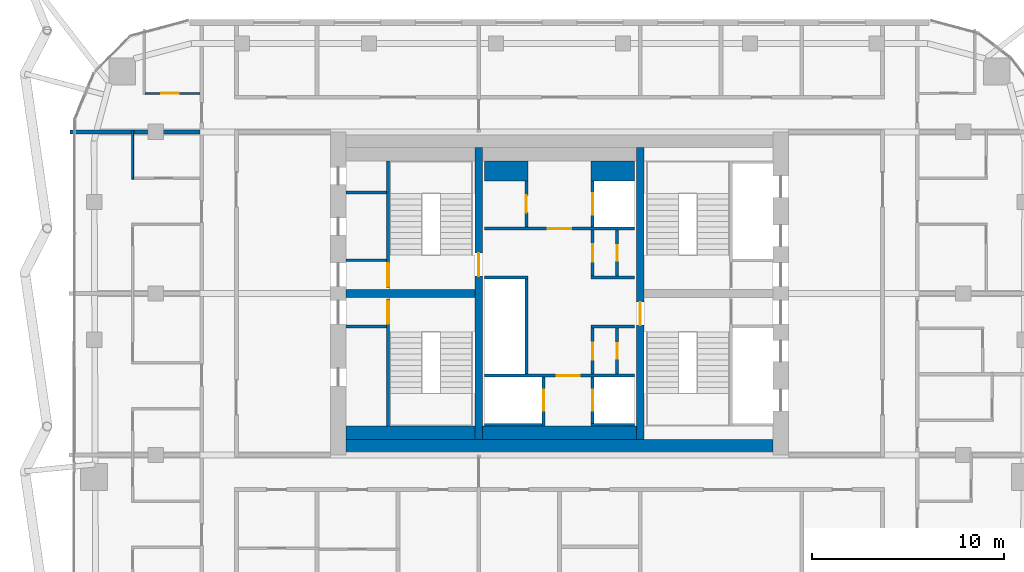
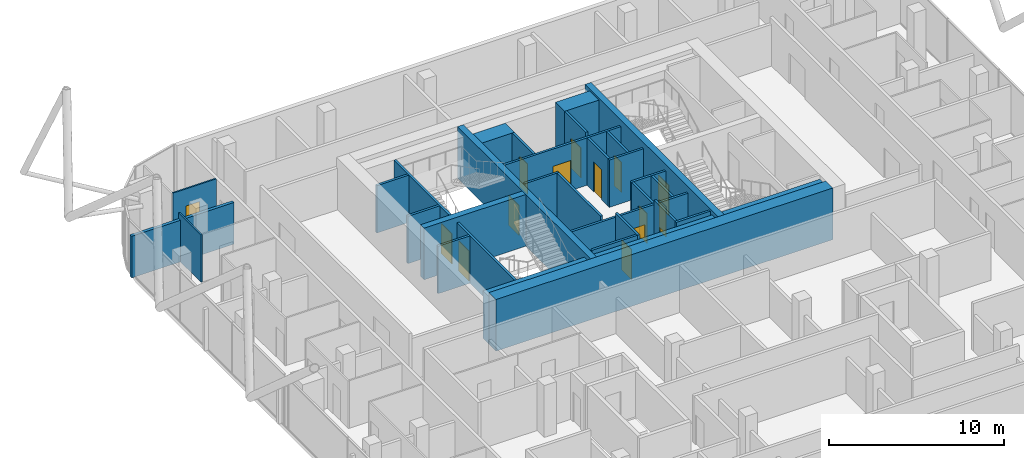
# One storey, part 29 of 33: 31 walls, 15 doors, 15 openings.
"""IFC4 building model written with IfcOpenShell, lengths in metres."""

from ifc_helpers import new_model, si_unit, direction, frame, frame_2d, origin, place, context, subcontext, project, spatial, rectangle, extrude, material, layer, layer_set, type_object, element, fill, save


model = new_model("IFC4")

# Units and contexts
model_context = context("Model", 3, precision=1e-05, world=origin(), true_north=direction((0.0, 1.0)))
body_context = subcontext(model_context, "Body", "Model", "MODEL_VIEW")
ifc_project = project(units=[si_unit("LENGTHUNIT", "METRE"), si_unit("AREAUNIT", "SQUARE_METRE"), si_unit("VOLUMEUNIT", "CUBIC_METRE"), si_unit("PLANEANGLEUNIT", "RADIAN"), si_unit("MASSUNIT", "GRAM", prefix="KILO")], contexts=[model_context])

# Site, building, storey
site_placement = place(None, origin())
site = spatial("IfcSite", under=ifc_project, at=site_placement, CompositionType="ELEMENT")
building_placement = place(site_placement, origin())
building = spatial("IfcBuilding", under=site, at=building_placement, Name="Marenta Gate Hotel Tower", CompositionType="ELEMENT")
storey_placement = place(building_placement, frame((0.0, 0.0, 248.89990234375)))
storey = spatial("IfcBuildingStorey", under=building, at=storey_placement, Name="L59", CompositionType="ELEMENT", Elevation=248.89990234375)

# Wall
ifc_material_1 = material(Name="Concrete C40", Category="concrete")
ifc_layer_1 = layer(ifc_material_1, 0.699951171875)
ifc_layer_set_1 = layer_set([ifc_layer_1], Name="Concrete C40")
wall_type_1 = type_object("IfcWallType", Name="Core lining wall 700 REI 180", PredefinedType="PARTITIONING", material=ifc_layer_set_1)
wall_1_placement = place(storey_placement, frame((-11.10009765625, 1.14990234375, 0.0), z_axis=(0.0, 0.0, 1.0), x_axis=(1.0, 0.0, 0.0)))
element("IfcWall", 1, at=wall_1_placement, inside=storey, type_object=wall_type_1, Name="L59-CP-LN-S", PredefinedType="PARTITIONING", context=body_context, shape_type="SweptSolid", body=[
    extrude(rectangle(XDim=22.2001953125, YDim=0.699951171875, at=frame_2d((11.10009765625, 0.0))), origin(), (0.0, 0.0, 1.0), 3.300048828125),
])

# Wall, opening, door
ifc_material_2 = material(Name="Concrete blockwork", Category="masonry")
ifc_layer_2 = layer(ifc_material_2, 0.14990234375)
ifc_layer_set_2 = layer_set([ifc_layer_2], Name="Concrete blockwork")
wall_type_2 = type_object("IfcWallType", Name="Core lobby partition 150 REI 180", PredefinedType="PARTITIONING", material=ifc_layer_set_2)
wall_2_placement = place(storey_placement, frame((-3.89990234375, 4.125, 0.0), z_axis=(0.0, 0.0, 1.0), x_axis=(1.0, 0.0, 0.0)))
wall_2 = element("IfcWall", 2, at=wall_2_placement, inside=storey, type_object=wall_type_2, Name="L59-CP-CW-S", PredefinedType="PARTITIONING", context=body_context, shape_type="SweptSolid", body=[
    extrude(rectangle(XDim=7.7998046875, YDim=0.14990234375, at=frame_2d((3.89990234375, 0.0))), origin(), (0.0, 0.0, 1.0), 3.300048828125),
])
opening_1_placement = place(wall_2_placement, frame((3.75, 0.0, 0.0)))
opening_1 = element("IfcOpeningElement", 3, at=opening_1_placement, cuts=wall_2, Name="Opening FD-FFS", PredefinedType="OPENING", context=body_context, shape_type="SweptSolid", body=[
    extrude(rectangle(XDim=1.199951171875, YDim=2.10009765625, at=frame_2d((0.60009765625, 1.050048828125))), frame((0.0, 0.074951171875, 0.0), z_axis=(0.0, -1.0, 0.0), x_axis=(1.0, 0.0, 0.0)), (0.0, 0.0, 1.0), 0.14990234375),
])
ifc_material_3 = material(Name="Steel", Category="steel")
door_type_1 = type_object("IfcDoorType", Name="Core lobby door 1200x2100 FD60", OperationType="SINGLE_SWING_LEFT", PredefinedType="DOOR", material=ifc_material_3)
door_1_placement = place(opening_1_placement, origin())
door_1 = element("IfcDoor", 4, at=door_1_placement, inside=storey, type_object=door_type_1, Name="FD-FFS", OperationType="SINGLE_SWING_LEFT", OverallHeight=2.10009765625, OverallWidth=1.199951171875, PredefinedType="DOOR", context=body_context, shape_type="SweptSolid", body=[
    extrude(rectangle(XDim=1.199951171875, YDim=2.10009765625, at=frame_2d((0.60009765625, 1.050048828125))), frame((0.0, 0.02490234375, 0.0), z_axis=(0.0, -1.0, 0.0), x_axis=(1.0, 0.0, 0.0)), (0.0, 0.0, 1.0), 0.050048828125),
])
fill(opening_1, door_1)

wall_3_placement = place(storey_placement, frame((-3.89990234375, 11.77490234375, 0.0), z_axis=(0.0, 0.0, 1.0), x_axis=(1.0, 0.0, 0.0)))
wall_3 = element("IfcWall", 5, at=wall_3_placement, inside=storey, type_object=wall_type_2, Name="L59-CP-CW-N", PredefinedType="PARTITIONING", context=body_context, shape_type="SweptSolid", body=[
    extrude(rectangle(XDim=7.7998046875, YDim=0.14990234375, at=frame_2d((3.89990234375, 0.0))), origin(), (0.0, 0.0, 1.0), 3.300048828125),
])
opening_2_placement = place(wall_3_placement, frame((3.300048828125, 0.0, 0.0)))
opening_2 = element("IfcOpeningElement", 6, at=opening_2_placement, cuts=wall_3, Name="Opening FD-FFN", PredefinedType="OPENING", context=body_context, shape_type="SweptSolid", body=[
    extrude(rectangle(XDim=1.199951171875, YDim=2.10009765625, at=frame_2d((0.60009765625, 1.050048828125))), frame((0.0, 0.074951171875, 0.0), z_axis=(0.0, -1.0, 0.0), x_axis=(1.0, 0.0, 0.0)), (0.0, 0.0, 1.0), 0.14990234375),
])
door_2_placement = place(opening_2_placement, origin())
door_2 = element("IfcDoor", 7, at=door_2_placement, inside=storey, type_object=door_type_1, Name="FD-FFN", OperationType="SINGLE_SWING_LEFT", OverallHeight=2.10009765625, OverallWidth=1.199951171875, PredefinedType="DOOR", context=body_context, shape_type="SweptSolid", body=[
    extrude(rectangle(XDim=1.199951171875, YDim=2.10009765625, at=frame_2d((0.60009765625, 1.050048828125))), frame((0.0, 0.02490234375, 0.0), z_axis=(0.0, -1.0, 0.0), x_axis=(1.0, 0.0, 0.0)), (0.0, 0.0, 1.0), 0.050048828125),
])
fill(opening_2, door_2)

# Walls
ifc_material_4 = material(Name="Concrete blockwork", Category="masonry")
ifc_layer_3 = layer(ifc_material_4, 1.050048828125)
ifc_layer_set_3 = layer_set([ifc_layer_3], Name="Concrete blockwork")
wall_type_3 = type_object("IfcWallType", Name="Core room partition 1050 REI 180", PredefinedType="PARTITIONING", material=ifc_layer_set_3)
wall_4_placement = place(storey_placement, frame((-3.89990234375, 14.77490234375, 0.0), z_axis=(0.0, 0.0, 1.0), x_axis=(1.0, 0.0, 0.0)))
element("IfcWall", 8, at=wall_4_placement, inside=storey, type_object=wall_type_3, Name="L59-CP-CW-W-riser-N", PredefinedType="PARTITIONING", context=body_context, shape_type="SweptSolid", body=[
    extrude(rectangle(XDim=2.25, YDim=1.050048828125, at=frame_2d((1.125, 0.0))), origin(), (0.0, 0.0, 1.0), 3.300048828125),
])
ifc_material_5 = material(Name="Concrete blockwork", Category="masonry")
ifc_layer_4 = layer(ifc_material_5, 0.14990234375)
ifc_layer_set_4 = layer_set([ifc_layer_4], Name="Concrete blockwork")
wall_type_4 = type_object("IfcWallType", Name="Core room partition 150 REI 180", PredefinedType="PARTITIONING", material=ifc_layer_set_4)
for number, where, z_axis, x_axis, name in (
    (9, (-11.10009765625, 6.675048828125, 0.0), (0.0, 0.0, 1.0), (1.0, 0.0, 0.0), "L59-CP-SW-WS-2"),
    (10, (-11.10009765625, 10.125, 0.0), (0.0, 0.0, 1.0), (1.0, 0.0, 0.0), "L59-CP-SW-WN-2"),
    (11, (-11.10009765625, 13.64990234375, 0.0), (0.0, 0.0, 1.0), (1.0, 0.0, 0.0), "L59-CP-RW-WN-1"),
):
    element("IfcWall", number, at=place(storey_placement, frame(where, z_axis=z_axis, x_axis=x_axis)), inside=storey, type_object=wall_type_4, Name=name, PredefinedType="PARTITIONING", context=body_context, shape_type="SweptSolid", body=[
        extrude(rectangle(XDim=2.10009765625, YDim=0.14990234375, at=frame_2d((1.050048828125, 0.0))), origin(), (0.0, 0.0, 1.0), 3.300048828125),
    ])

# Wall, opening, door
wall_5_placement = place(storey_placement, frame((-1.72509765625, 11.85009765625, 0.0), z_axis=(0.0, 0.0, 1.0), x_axis=(0.0, 1.0, 0.0)))
wall_5 = element("IfcWall", 12, at=wall_5_placement, inside=storey, type_object=wall_type_4, Name="L59-CP-CW-W-riser-front", PredefinedType="PARTITIONING", context=body_context, shape_type="SweptSolid", body=[
    extrude(rectangle(XDim=2.39990234375, YDim=0.14990234375, at=frame_2d((1.199951171875, 0.0))), origin(), (0.0, 0.0, 1.0), 3.300048828125),
])
opening_3_placement = place(wall_5_placement, frame((0.75, 0.0, 0.0)))
opening_3 = element("IfcOpeningElement", 13, at=opening_3_placement, cuts=wall_5, Name="Opening RD-CRISER", PredefinedType="OPENING", context=body_context, shape_type="SweptSolid", body=[
    extrude(rectangle(XDim=0.89990234375, YDim=2.10009765625, at=frame_2d((0.449951171875, 1.050048828125))), frame((0.0, 0.074951171875, 0.0), z_axis=(0.0, -1.0, 0.0), x_axis=(1.0, 0.0, 0.0)), (0.0, 0.0, 1.0), 0.14990234375),
])
ifc_material_6 = material(Name="Steel", Category="steel")
door_type_2 = type_object("IfcDoorType", Name="Core riser door 900x2100 FD60", OperationType="SINGLE_SWING_LEFT", PredefinedType="DOOR", material=ifc_material_6)
door_3_placement = place(opening_3_placement, origin())
door_3 = element("IfcDoor", 14, at=door_3_placement, inside=storey, type_object=door_type_2, Name="RD-CRISER", OperationType="SINGLE_SWING_LEFT", OverallHeight=2.10009765625, OverallWidth=0.89990234375, PredefinedType="DOOR", context=body_context, shape_type="SweptSolid", body=[
    extrude(rectangle(XDim=0.89990234375, YDim=2.10009765625, at=frame_2d((0.449951171875, 1.050048828125))), frame((0.0, 0.02490234375, 0.0), z_axis=(0.0, -1.0, 0.0), x_axis=(1.0, 0.0, 0.0)), (0.0, 0.0, 1.0), 0.050048828125),
])
fill(opening_3, door_3)

# Walls
for number, where, z_axis, x_axis, name in (
    (15, (1.64990234375, 6.675048828125, 0.0), (0.0, 0.0, 1.0), (1.0, 0.0, 0.0), "L59-CP-CE-sep1"),
    (16, (1.64990234375, 9.22509765625, 0.0), (0.0, 0.0, 1.0), (1.0, 0.0, 0.0), "L59-CP-CE-sep2"),
):
    element("IfcWall", number, at=place(storey_placement, frame(where, z_axis=z_axis, x_axis=x_axis)), inside=storey, type_object=wall_type_4, Name=name, PredefinedType="PARTITIONING", context=body_context, shape_type="SweptSolid", body=[
        extrude(rectangle(XDim=2.25, YDim=0.14990234375, at=frame_2d((1.125, 0.0))), origin(), (0.0, 0.0, 1.0), 3.300048828125),
    ])

# Wall, opening, door
wall_6_placement = place(storey_placement, frame((1.72509765625, 4.199951171875, 0.0), z_axis=(0.0, 0.0, 1.0), x_axis=(0.0, 1.0, 0.0)))
wall_6 = element("IfcWall", 17, at=wall_6_placement, inside=storey, type_object=wall_type_4, Name="L59-CP-CE-front-1", PredefinedType="PARTITIONING", context=body_context, shape_type="SweptSolid", body=[
    extrude(rectangle(XDim=2.400146484375, YDim=0.14990234375, at=frame_2d((1.2001953125, 0.0))), origin(), (0.0, 0.0, 1.0), 3.300048828125),
])
opening_4_placement = place(wall_6_placement, frame((0.75, 0.0, 0.0)))
opening_4 = element("IfcOpeningElement", 18, at=opening_4_placement, cuts=wall_6, Name="Opening RD-CE-1a", PredefinedType="OPENING", context=body_context, shape_type="SweptSolid", body=[
    extrude(rectangle(XDim=0.89990234375, YDim=2.10009765625, at=frame_2d((0.449951171875, 1.050048828125))), frame((0.0, 0.074951171875, 0.0), z_axis=(0.0, -1.0, 0.0), x_axis=(1.0, 0.0, 0.0)), (0.0, 0.0, 1.0), 0.14990234375),
])
ifc_material_7 = material(Name="Steel", Category="steel")
door_type_3 = type_object("IfcDoorType", Name="Core service room door 900x2100 FD30S", OperationType="SINGLE_SWING_LEFT", PredefinedType="DOOR", material=ifc_material_7)
door_4_placement = place(opening_4_placement, origin())
door_4 = element("IfcDoor", 19, at=door_4_placement, inside=storey, type_object=door_type_3, Name="RD-CE-1a", OperationType="SINGLE_SWING_LEFT", OverallHeight=2.10009765625, OverallWidth=0.89990234375, PredefinedType="DOOR", context=body_context, shape_type="SweptSolid", body=[
    extrude(rectangle(XDim=0.89990234375, YDim=2.10009765625, at=frame_2d((0.449951171875, 1.050048828125))), frame((0.0, 0.02490234375, 0.0), z_axis=(0.0, -1.0, 0.0), x_axis=(1.0, 0.0, 0.0)), (0.0, 0.0, 1.0), 0.050048828125),
])
fill(opening_4, door_4)

wall_7_placement = place(storey_placement, frame((1.72509765625, 9.300048828125, 0.0), z_axis=(0.0, 0.0, 1.0), x_axis=(0.0, 1.0, 0.0)))
wall_7 = element("IfcWall", 20, at=wall_7_placement, inside=storey, type_object=wall_type_4, Name="L59-CP-CE-front-2", PredefinedType="PARTITIONING", context=body_context, shape_type="SweptSolid", body=[
    extrude(rectangle(XDim=2.39990234375, YDim=0.14990234375, at=frame_2d((1.199951171875, 0.0))), origin(), (0.0, 0.0, 1.0), 3.300048828125),
])
opening_5_placement = place(wall_7_placement, frame((0.75, 0.0, 0.0)))
opening_5 = element("IfcOpeningElement", 21, at=opening_5_placement, cuts=wall_7, Name="Opening RD-CE-2a", PredefinedType="OPENING", context=body_context, shape_type="SweptSolid", body=[
    extrude(rectangle(XDim=0.89990234375, YDim=2.10009765625, at=frame_2d((0.449951171875, 1.050048828125))), frame((0.0, 0.074951171875, 0.0), z_axis=(0.0, -1.0, 0.0), x_axis=(1.0, 0.0, 0.0)), (0.0, 0.0, 1.0), 0.14990234375),
])
door_5_placement = place(opening_5_placement, origin())
door_5 = element("IfcDoor", 22, at=door_5_placement, inside=storey, type_object=door_type_3, Name="RD-CE-2a", OperationType="SINGLE_SWING_LEFT", OverallHeight=2.10009765625, OverallWidth=0.89990234375, PredefinedType="DOOR", context=body_context, shape_type="SweptSolid", body=[
    extrude(rectangle(XDim=0.89990234375, YDim=2.10009765625, at=frame_2d((0.449951171875, 1.050048828125))), frame((0.0, 0.02490234375, 0.0), z_axis=(0.0, -1.0, 0.0), x_axis=(1.0, 0.0, 0.0)), (0.0, 0.0, 1.0), 0.050048828125),
])
fill(opening_5, door_5)

wall_8_placement = place(storey_placement, frame((3.0, 4.199951171875, 0.0), z_axis=(0.0, 0.0, 1.0), x_axis=(0.0, 1.0, 0.0)))
wall_8 = element("IfcWall", 23, at=wall_8_placement, inside=storey, type_object=wall_type_4, Name="L59-CP-CE-RW-1", PredefinedType="PARTITIONING", context=body_context, shape_type="SweptSolid", body=[
    extrude(rectangle(XDim=2.400146484375, YDim=0.14990234375, at=frame_2d((1.2001953125, 0.0))), origin(), (0.0, 0.0, 1.0), 3.300048828125),
])
opening_6_placement = place(wall_8_placement, frame((0.800048828125, 0.0, 0.0)))
opening_6 = element("IfcOpeningElement", 24, at=opening_6_placement, cuts=wall_8, Name="Opening RD-CE-1b-A", PredefinedType="OPENING", context=body_context, shape_type="SweptSolid", body=[
    extrude(rectangle(XDim=0.800048828125, YDim=2.10009765625, at=frame_2d((0.39990234375, 1.050048828125))), frame((0.0, 0.074951171875, 0.0), z_axis=(0.0, -1.0, 0.0), x_axis=(1.0, 0.0, 0.0)), (0.0, 0.0, 1.0), 0.14990234375),
])
ifc_material_8 = material(Name="Steel", Category="steel")
door_type_4 = type_object("IfcDoorType", Name="Core riser door 800x2100 FD60", OperationType="SINGLE_SWING_LEFT", PredefinedType="DOOR", material=ifc_material_8)
door_6_placement = place(opening_6_placement, origin())
door_6 = element("IfcDoor", 25, at=door_6_placement, inside=storey, type_object=door_type_4, Name="RD-CE-1b-A", OperationType="SINGLE_SWING_LEFT", OverallHeight=2.10009765625, OverallWidth=0.800048828125, PredefinedType="DOOR", context=body_context, shape_type="SweptSolid", body=[
    extrude(rectangle(XDim=0.800048828125, YDim=2.10009765625, at=frame_2d((0.39990234375, 1.050048828125))), frame((0.0, 0.02490234375, 0.0), z_axis=(0.0, -1.0, 0.0), x_axis=(1.0, 0.0, 0.0)), (0.0, 0.0, 1.0), 0.050048828125),
])
fill(opening_6, door_6)

wall_9_placement = place(storey_placement, frame((3.0, 9.300048828125, 0.0), z_axis=(0.0, 0.0, 1.0), x_axis=(0.0, 1.0, 0.0)))
wall_9 = element("IfcWall", 26, at=wall_9_placement, inside=storey, type_object=wall_type_4, Name="L59-CP-CE-RW-2", PredefinedType="PARTITIONING", context=body_context, shape_type="SweptSolid", body=[
    extrude(rectangle(XDim=2.39990234375, YDim=0.14990234375, at=frame_2d((1.199951171875, 0.0))), origin(), (0.0, 0.0, 1.0), 3.300048828125),
])
opening_7_placement = place(wall_9_placement, frame((0.800048828125, 0.0, 0.0)))
opening_7 = element("IfcOpeningElement", 27, at=opening_7_placement, cuts=wall_9, Name="Opening RD-CE-2b-A", PredefinedType="OPENING", context=body_context, shape_type="SweptSolid", body=[
    extrude(rectangle(XDim=0.800048828125, YDim=2.10009765625, at=frame_2d((0.39990234375, 1.050048828125))), frame((0.0, 0.074951171875, 0.0), z_axis=(0.0, -1.0, 0.0), x_axis=(1.0, 0.0, 0.0)), (0.0, 0.0, 1.0), 0.14990234375),
])
door_7_placement = place(opening_7_placement, origin())
door_7 = element("IfcDoor", 28, at=door_7_placement, inside=storey, type_object=door_type_4, Name="RD-CE-2b-A", OperationType="SINGLE_SWING_LEFT", OverallHeight=2.10009765625, OverallWidth=0.800048828125, PredefinedType="DOOR", context=body_context, shape_type="SweptSolid", body=[
    extrude(rectangle(XDim=0.800048828125, YDim=2.10009765625, at=frame_2d((0.39990234375, 1.050048828125))), frame((0.0, 0.02490234375, 0.0), z_axis=(0.0, -1.0, 0.0), x_axis=(1.0, 0.0, 0.0)), (0.0, 0.0, 1.0), 0.050048828125),
])
fill(opening_7, door_7)

# Wall
ifc_material_9 = material(Name="Concrete C40", Category="concrete")
ifc_layer_5 = layer(ifc_material_9, 1.050048828125)
ifc_layer_set_5 = layer_set([ifc_layer_5], Name="Concrete C40")
wall_type_5 = type_object("IfcWallType", Name="Core shaft wall 1050 REI 180", PredefinedType="SHEAR", material=ifc_layer_set_5)
wall_10_placement = place(storey_placement, frame((1.64990234375, 14.77490234375, 0.0), z_axis=(0.0, 0.0, 1.0), x_axis=(1.0, 0.0, 0.0)))
element("IfcWall", 29, at=wall_10_placement, inside=storey, type_object=wall_type_5, Name="L59-SHF-CE-N-top", PredefinedType="SHEAR", context=body_context, shape_type="SweptSolid", body=[
    extrude(rectangle(XDim=2.25, YDim=1.050048828125, at=frame_2d((1.125, 0.0))), origin(), (0.0, 0.0, 1.0), 3.60009765625),
])

# Wall, opening, door
ifc_material_10 = material(Name="Concrete C40", Category="concrete")
ifc_layer_6 = layer(ifc_material_10, 0.14990234375)
ifc_layer_set_6 = layer_set([ifc_layer_6], Name="Concrete C40")
wall_type_6 = type_object("IfcWallType", Name="Core shaft wall 150 REI 180", PredefinedType="SHEAR", material=ifc_layer_set_6)
wall_11_placement = place(storey_placement, frame((-0.824951171875, 1.5, 0.0), z_axis=(0.0, 0.0, 1.0), x_axis=(0.0, 1.0, 0.0)))
wall_11 = element("IfcWall", 30, at=wall_11_placement, inside=storey, type_object=wall_type_6, Name="L59-SHF-CW-W-ff", PredefinedType="SHEAR", context=body_context, shape_type="SweptSolid", body=[
    extrude(rectangle(XDim=2.550048828125, YDim=0.14990234375, at=frame_2d((1.27490234375, 0.0))), origin(), (0.0, 0.0, 1.0), 3.60009765625),
])
opening_8_placement = place(wall_11_placement, frame((0.800048828125, 0.0, 0.0)))
opening_8 = element("IfcOpeningElement", 31, at=opening_8_placement, cuts=wall_11, Name="Opening LD-FF1", PredefinedType="OPENING", context=body_context, shape_type="SweptSolid", body=[
    extrude(rectangle(XDim=1.10009765625, YDim=2.10009765625, at=frame_2d((0.550048828125, 1.050048828125))), frame((0.0, 0.074951171875, 0.0), z_axis=(0.0, -1.0, 0.0), x_axis=(1.0, 0.0, 0.0)), (0.0, 0.0, 1.0), 0.14990234375),
])
ifc_material_11 = material(Name="Steel", Category="steel")
door_type_5 = type_object("IfcDoorType", Name="Core lift landing door 1100x2100 E 60", OperationType="SLIDING_TO_LEFT", PredefinedType="DOOR", material=ifc_material_11)
door_8_placement = place(opening_8_placement, origin())
door_8 = element("IfcDoor", 32, at=door_8_placement, inside=storey, type_object=door_type_5, Name="LD-FF1", OperationType="SLIDING_TO_LEFT", OverallHeight=2.10009765625, OverallWidth=1.10009765625, PredefinedType="DOOR", context=body_context, shape_type="SweptSolid", body=[
    extrude(rectangle(XDim=1.10009765625, YDim=2.10009765625, at=frame_2d((0.550048828125, 1.050048828125))), frame((0.0, 0.02490234375, 0.0), z_axis=(0.0, -1.0, 0.0), x_axis=(1.0, 0.0, 0.0)), (0.0, 0.0, 1.0), 0.050048828125),
])
fill(opening_8, door_8)

# Walls
wall_12_placement = place(storey_placement, frame((-3.89990234375, 1.574951171875, 0.0), z_axis=(0.0, 0.0, 1.0), x_axis=(1.0, 0.0, 0.0)))
element("IfcWall", 33, at=wall_12_placement, inside=storey, type_object=wall_type_6, Name="L59-SHF-CW-W-ffs", PredefinedType="SHEAR", context=body_context, shape_type="SweptSolid", body=[
    extrude(rectangle(XDim=3.0, YDim=0.14990234375, at=frame_2d((1.5, 0.0))), origin(), (0.0, 0.0, 1.0), 3.60009765625),
])
wall_13_placement = place(storey_placement, frame((-1.72509765625, 4.199951171875, 0.0), z_axis=(0.0, 0.0, 1.0), x_axis=(0.0, 1.0, 0.0)))
element("IfcWall", 34, at=wall_13_placement, inside=storey, type_object=wall_type_6, Name="L59-SHF-CW-W-front", PredefinedType="SHEAR", context=body_context, shape_type="SweptSolid", body=[
    extrude(rectangle(XDim=4.949951171875, YDim=0.14990234375, at=frame_2d((2.47509765625, 0.0))), origin(), (0.0, 0.0, 1.0), 3.60009765625),
])
wall_14_placement = place(storey_placement, frame((-3.89990234375, 9.22509765625, 0.0), z_axis=(0.0, 0.0, 1.0), x_axis=(1.0, 0.0, 0.0)))
element("IfcWall", 35, at=wall_14_placement, inside=storey, type_object=wall_type_6, Name="L59-SHF-CW-W-sep", PredefinedType="SHEAR", context=body_context, shape_type="SweptSolid", body=[
    extrude(rectangle(XDim=2.25, YDim=0.14990234375, at=frame_2d((1.125, 0.0))), origin(), (0.0, 0.0, 1.0), 3.60009765625),
])

# Wall, opening, door
wall_15_placement = place(storey_placement, frame((1.72509765625, 1.64990234375, 0.0), z_axis=(0.0, 0.0, 1.0), x_axis=(0.0, 1.0, 0.0)))
wall_15 = element("IfcWall", 36, at=wall_15_placement, inside=storey, type_object=wall_type_6, Name="L59-SHF-CE-S-ls", PredefinedType="SHEAR", context=body_context, shape_type="SweptSolid", body=[
    extrude(rectangle(XDim=2.400146484375, YDim=0.14990234375, at=frame_2d((1.2001953125, 0.0))), origin(), (0.0, 0.0, 1.0), 3.60009765625),
])
opening_9_placement = place(wall_15_placement, frame((0.64990234375, 0.0, 0.0)))
opening_9 = element("IfcOpeningElement", 37, at=opening_9_placement, cuts=wall_15, Name="Opening LD-SV1", PredefinedType="OPENING", context=body_context, shape_type="SweptSolid", body=[
    extrude(rectangle(XDim=1.10009765625, YDim=2.10009765625, at=frame_2d((0.550048828125, 1.050048828125))), frame((0.0, 0.074951171875, 0.0), z_axis=(0.0, -1.0, 0.0), x_axis=(1.0, 0.0, 0.0)), (0.0, 0.0, 1.0), 0.14990234375),
])
door_9_placement = place(opening_9_placement, origin())
door_9 = element("IfcDoor", 38, at=door_9_placement, inside=storey, type_object=door_type_5, Name="LD-SV1", OperationType="SLIDING_TO_LEFT", OverallHeight=2.10009765625, OverallWidth=1.10009765625, PredefinedType="DOOR", context=body_context, shape_type="SweptSolid", body=[
    extrude(rectangle(XDim=1.10009765625, YDim=2.10009765625, at=frame_2d((0.550048828125, 1.050048828125))), frame((0.0, 0.02490234375, 0.0), z_axis=(0.0, -1.0, 0.0), x_axis=(1.0, 0.0, 0.0)), (0.0, 0.0, 1.0), 0.050048828125),
])
fill(opening_9, door_9)

# Wall
wall_16_placement = place(storey_placement, frame((1.64990234375, 1.574951171875, 0.0), z_axis=(0.0, 0.0, 1.0), x_axis=(1.0, 0.0, 0.0)))
element("IfcWall", 39, at=wall_16_placement, inside=storey, type_object=wall_type_6, Name="L59-SHF-CE-S-bot", PredefinedType="SHEAR", context=body_context, shape_type="SweptSolid", body=[
    extrude(rectangle(XDim=2.25, YDim=0.14990234375, at=frame_2d((1.125, 0.0))), origin(), (0.0, 0.0, 1.0), 3.60009765625),
])

# Wall, opening, door
wall_17_placement = place(storey_placement, frame((1.72509765625, 11.85009765625, 0.0), z_axis=(0.0, 0.0, 1.0), x_axis=(0.0, 1.0, 0.0)))
wall_17 = element("IfcWall", 40, at=wall_17_placement, inside=storey, type_object=wall_type_6, Name="L59-SHF-CE-N-front2", PredefinedType="SHEAR", context=body_context, shape_type="SweptSolid", body=[
    extrude(rectangle(XDim=2.39990234375, YDim=0.14990234375, at=frame_2d((1.199951171875, 0.0))), origin(), (0.0, 0.0, 1.0), 3.60009765625),
])
opening_10_placement = place(wall_17_placement, frame((0.64990234375, 0.0, 0.0)))
opening_10 = element("IfcOpeningElement", 41, at=opening_10_placement, cuts=wall_17, Name="Opening LD-FF2", PredefinedType="OPENING", context=body_context, shape_type="SweptSolid", body=[
    extrude(rectangle(XDim=1.10009765625, YDim=2.10009765625, at=frame_2d((0.550048828125, 1.050048828125))), frame((0.0, 0.074951171875, 0.0), z_axis=(0.0, -1.0, 0.0), x_axis=(1.0, 0.0, 0.0)), (0.0, 0.0, 1.0), 0.14990234375),
])
door_10_placement = place(opening_10_placement, origin())
door_10 = element("IfcDoor", 42, at=door_10_placement, inside=storey, type_object=door_type_5, Name="LD-FF2", OperationType="SLIDING_TO_LEFT", OverallHeight=2.10009765625, OverallWidth=1.10009765625, PredefinedType="DOOR", context=body_context, shape_type="SweptSolid", body=[
    extrude(rectangle(XDim=1.10009765625, YDim=2.10009765625, at=frame_2d((0.550048828125, 1.050048828125))), frame((0.0, 0.02490234375, 0.0), z_axis=(0.0, -1.0, 0.0), x_axis=(1.0, 0.0, 0.0)), (0.0, 0.0, 1.0), 0.050048828125),
])
fill(opening_10, door_10)

ifc_material_12 = material(Name="Concrete C40", Category="concrete")
ifc_layer_7 = layer(ifc_material_12, 0.14990234375)
ifc_layer_set_7 = layer_set([ifc_layer_7], Name="Concrete C40")
wall_type_7 = type_object("IfcWallType", Name="Core stair enclosure wall 150 REI 180", PredefinedType="SHEAR", material=ifc_layer_set_7)
wall_18_placement = place(storey_placement, frame((-8.925048828125, 1.5, 0.0), z_axis=(0.0, 0.0, 1.0), x_axis=(0.0, 1.0, 0.0)))
wall_18 = element("IfcWall", 43, at=wall_18_placement, inside=storey, type_object=wall_type_7, Name="L59-SHF-SW-WS-3", PredefinedType="SHEAR", context=body_context, shape_type="SweptSolid", body=[
    extrude(rectangle(XDim=6.60009765625, YDim=0.14990234375, at=frame_2d((3.300048828125, 0.0))), origin(), (0.0, 0.0, 1.0), 3.300048828125),
])
opening_11_placement = place(wall_18_placement, frame((5.324951171875, 0.0, 0.0)))
opening_11 = element("IfcOpeningElement", 44, at=opening_11_placement, cuts=wall_18, Name="Opening SD-WS", PredefinedType="OPENING", context=body_context, shape_type="SweptSolid", body=[
    extrude(rectangle(XDim=1.199951171875, YDim=2.10009765625, at=frame_2d((0.60009765625, 1.050048828125))), frame((0.0, 0.074951171875, 0.0), z_axis=(0.0, -1.0, 0.0), x_axis=(1.0, 0.0, 0.0)), (0.0, 0.0, 1.0), 0.14990234375),
])
ifc_material_13 = material(Name="Steel", Category="steel")
door_type_6 = type_object("IfcDoorType", Name="Core stair door 1200x2100 FD60", OperationType="SINGLE_SWING_LEFT", PredefinedType="DOOR", material=ifc_material_13)
door_11_placement = place(opening_11_placement, origin())
door_11 = element("IfcDoor", 45, at=door_11_placement, inside=storey, type_object=door_type_6, Name="SD-WS", OperationType="SINGLE_SWING_LEFT", OverallHeight=2.10009765625, OverallWidth=1.199951171875, PredefinedType="DOOR", context=body_context, shape_type="SweptSolid", body=[
    extrude(rectangle(XDim=1.199951171875, YDim=2.10009765625, at=frame_2d((0.60009765625, 1.050048828125))), frame((0.0, 0.02490234375, 0.0), z_axis=(0.0, -1.0, 0.0), x_axis=(1.0, 0.0, 0.0)), (0.0, 0.0, 1.0), 0.050048828125),
])
fill(opening_11, door_11)

wall_19_placement = place(storey_placement, frame((-8.925048828125, 8.699951171875, 0.0), z_axis=(0.0, 0.0, 1.0), x_axis=(0.0, 1.0, 0.0)))
wall_19 = element("IfcWall", 46, at=wall_19_placement, inside=storey, type_object=wall_type_7, Name="L59-SHF-SW-WN-3", PredefinedType="SHEAR", context=body_context, shape_type="SweptSolid", body=[
    extrude(rectangle(XDim=6.60009765625, YDim=0.14990234375, at=frame_2d((3.300048828125, 0.0))), origin(), (0.0, 0.0, 1.0), 3.300048828125),
])
opening_12_placement = place(wall_19_placement, frame((0.074951171875, 0.0, 0.0)))
opening_12 = element("IfcOpeningElement", 47, at=opening_12_placement, cuts=wall_19, Name="Opening SD-WN", PredefinedType="OPENING", context=body_context, shape_type="SweptSolid", body=[
    extrude(rectangle(XDim=1.199951171875, YDim=2.10009765625, at=frame_2d((0.60009765625, 1.050048828125))), frame((0.0, 0.074951171875, 0.0), z_axis=(0.0, -1.0, 0.0), x_axis=(1.0, 0.0, 0.0)), (0.0, 0.0, 1.0), 0.14990234375),
])
door_12_placement = place(opening_12_placement, origin())
door_12 = element("IfcDoor", 48, at=door_12_placement, inside=storey, type_object=door_type_6, Name="SD-WN", OperationType="SINGLE_SWING_LEFT", OverallHeight=2.10009765625, OverallWidth=1.199951171875, PredefinedType="DOOR", context=body_context, shape_type="SweptSolid", body=[
    extrude(rectangle(XDim=1.199951171875, YDim=2.10009765625, at=frame_2d((0.60009765625, 1.050048828125))), frame((0.0, 0.02490234375, 0.0), z_axis=(0.0, -1.0, 0.0), x_axis=(1.0, 0.0, 0.0)), (0.0, 0.0, 1.0), 0.050048828125),
])
fill(opening_12, door_12)

# Wall
ifc_material_14 = material(Name="Concrete C60", Category="concrete")
ifc_layer_8 = layer(ifc_material_14, 0.800048828125)
ifc_layer_set_8 = layer_set([ifc_layer_8], Name="Concrete C60")
wall_type_8 = type_object("IfcWallType", Name="Core wall 800 C60", PredefinedType="SHEAR", material=ifc_layer_set_8)
wall_20_placement = place(storey_placement, frame((-11.10009765625, 0.39990234375, 0.0), z_axis=(0.0, 0.0, 1.0), x_axis=(1.0, 0.0, 0.0)))
element("IfcWall", 49, at=wall_20_placement, inside=storey, type_object=wall_type_8, Name="L59-CORE-S", PredefinedType="SHEAR", context=body_context, shape_type="SweptSolid", body=[
    extrude(rectangle(XDim=22.2001953125, YDim=0.800048828125, at=frame_2d((11.10009765625, 0.0))), origin(), (0.0, 0.0, 1.0), 3.60009765625),
])

# Wall, opening, door
ifc_material_15 = material(Name="Concrete C60", Category="concrete")
ifc_layer_9 = layer(ifc_material_15, 0.39990234375)
ifc_layer_set_9 = layer_set([ifc_layer_9], Name="Concrete C60")
wall_type_9 = type_object("IfcWallType", Name="Core web 400 C60", PredefinedType="SHEAR", material=ifc_layer_set_9)
wall_21_placement = place(storey_placement, frame((-4.199951171875, 0.800048828125, 0.0), z_axis=(0.0, 0.0, 1.0), x_axis=(0.0, 1.0, 0.0)))
wall_21 = element("IfcWall", 50, at=wall_21_placement, inside=storey, type_object=wall_type_9, Name="L59-CORE-W1", PredefinedType="SHEAR", context=body_context, shape_type="SweptSolid", body=[
    extrude(rectangle(XDim=15.199951171875, YDim=0.39990234375, at=frame_2d((7.60009765625, 0.0))), origin(), (0.0, 0.0, 1.0), 3.60009765625),
])
opening_13_placement = place(wall_21_placement, frame((8.5, 0.0, 0.0)))
opening_13 = element("IfcOpeningElement", 51, at=opening_13_placement, cuts=wall_21, Name="Opening WD-W", PredefinedType="OPENING", context=body_context, shape_type="SweptSolid", body=[
    extrude(rectangle(XDim=1.199951171875, YDim=2.10009765625, at=frame_2d((0.60009765625, 1.050048828125))), frame((0.0, 0.199951171875, 0.0), z_axis=(0.0, -1.0, 0.0), x_axis=(1.0, 0.0, 0.0)), (0.0, 0.0, 1.0), 0.39990234375),
])
door_13_placement = place(opening_13_placement, origin())
door_13 = element("IfcDoor", 52, at=door_13_placement, inside=storey, type_object=door_type_6, Name="WD-W", OperationType="SINGLE_SWING_LEFT", OverallHeight=2.10009765625, OverallWidth=1.199951171875, PredefinedType="DOOR", context=body_context, shape_type="SweptSolid", body=[
    extrude(rectangle(XDim=1.199951171875, YDim=2.10009765625, at=frame_2d((0.60009765625, 1.050048828125))), frame((0.0, 0.02490234375, 0.0), z_axis=(0.0, -1.0, 0.0), x_axis=(1.0, 0.0, 0.0)), (0.0, 0.0, 1.0), 0.050048828125),
])
fill(opening_13, door_13)

wall_22_placement = place(storey_placement, frame((4.199951171875, 0.800048828125, 0.0), z_axis=(0.0, 0.0, 1.0), x_axis=(0.0, 1.0, 0.0)))
wall_22 = element("IfcWall", 53, at=wall_22_placement, inside=storey, type_object=wall_type_9, Name="L59-CORE-W2", PredefinedType="SHEAR", context=body_context, shape_type="SweptSolid", body=[
    extrude(rectangle(XDim=15.199951171875, YDim=0.39990234375, at=frame_2d((7.60009765625, 0.0))), origin(), (0.0, 0.0, 1.0), 3.60009765625),
])
opening_14_placement = place(wall_22_placement, frame((5.949951171875, 0.0, 0.0)))
opening_14 = element("IfcOpeningElement", 54, at=opening_14_placement, cuts=wall_22, Name="Opening WD-E", PredefinedType="OPENING", context=body_context, shape_type="SweptSolid", body=[
    extrude(rectangle(XDim=1.199951171875, YDim=2.10009765625, at=frame_2d((0.60009765625, 1.050048828125))), frame((0.0, 0.199951171875, 0.0), z_axis=(0.0, -1.0, 0.0), x_axis=(1.0, 0.0, 0.0)), (0.0, 0.0, 1.0), 0.39990234375),
])
door_14_placement = place(opening_14_placement, origin())
door_14 = element("IfcDoor", 55, at=door_14_placement, inside=storey, type_object=door_type_6, Name="WD-E", OperationType="SINGLE_SWING_LEFT", OverallHeight=2.10009765625, OverallWidth=1.199951171875, PredefinedType="DOOR", context=body_context, shape_type="SweptSolid", body=[
    extrude(rectangle(XDim=1.199951171875, YDim=2.10009765625, at=frame_2d((0.60009765625, 1.050048828125))), frame((0.0, 0.02490234375, 0.0), z_axis=(0.0, -1.0, 0.0), x_axis=(1.0, 0.0, 0.0)), (0.0, 0.0, 1.0), 0.050048828125),
])
fill(opening_14, door_14)

# Wall
wall_23_placement = place(storey_placement, frame((-11.10009765625, 8.39990234375, 0.0), z_axis=(0.0, 0.0, 1.0), x_axis=(1.0, 0.0, 0.0)))
element("IfcWall", 56, at=wall_23_placement, inside=storey, type_object=wall_type_9, Name="L59-CORE-W3", PredefinedType="SHEAR", context=body_context, shape_type="SweptSolid", body=[
    extrude(rectangle(XDim=6.7001953125, YDim=0.39990234375, at=frame_2d((3.35009765625, 0.0))), origin(), (0.0, 0.0, 1.0), 3.60009765625),
])

# Wall, opening, door
ifc_material_16 = material(Name="Gypsum board on steel stud", Category="steel")
ifc_layer_10 = layer(ifc_material_16, 0.10009765625)
ifc_layer_set_10 = layer_set([ifc_layer_10], Name="Gypsum board on steel stud")
wall_type_10 = type_object("IfcWallType", Name="Room partition 100", PredefinedType="PARTITIONING", material=ifc_layer_set_10)
wall_24_placement = place(storey_placement, frame((-21.550048828125, 18.800048828125, 0.0), z_axis=(0.0, 0.0, 1.0), x_axis=(1.0, 0.0, 0.0)))
wall_24 = element("IfcWall", 57, at=wall_24_placement, inside=storey, type_object=wall_type_10, Name="L59-PTN-W103", PredefinedType="PARTITIONING", context=body_context, shape_type="SweptSolid", body=[
    extrude(rectangle(XDim=2.85009765625, YDim=0.10009765625, at=frame_2d((1.425048828125, 0.0))), origin(), (0.0, 0.0, 1.0), 3.300048828125),
])
opening_15_placement = place(wall_24_placement, frame((0.85009765625, 0.0, 0.0)))
opening_15 = element("IfcOpeningElement", 58, at=opening_15_placement, cuts=wall_24, Name="Opening G21-60", PredefinedType="OPENING", context=body_context, shape_type="SweptSolid", body=[
    extrude(rectangle(XDim=0.89990234375, YDim=2.10009765625, at=frame_2d((0.449951171875, 1.050048828125))), frame((0.0, 0.050048828125, 0.0), z_axis=(0.0, -1.0, 0.0), x_axis=(1.0, 0.0, 0.0)), (0.0, 0.0, 1.0), 0.10009765625),
])
ifc_material_17 = material(Name="Timber door leaf", Category="wood")
door_type_7 = type_object("IfcDoorType", Name="Guest bathroom door 900x2100", OperationType="NOTDEFINED", PredefinedType="DOOR", material=ifc_material_17)
door_15_placement = place(opening_15_placement, origin())
door_15 = element("IfcDoor", 59, at=door_15_placement, inside=storey, type_object=door_type_7, Name="L59-PD-D060", OperationType="SINGLE_SWING_LEFT", OverallHeight=2.10009765625, OverallWidth=0.89990234375, PredefinedType="DOOR", context=body_context, shape_type="SweptSolid", body=[
    extrude(rectangle(XDim=0.89990234375, YDim=2.10009765625, at=frame_2d((0.449951171875, 1.050048828125))), frame((0.0, 0.02490234375, 0.0), z_axis=(0.0, -1.0, 0.0), x_axis=(1.0, 0.0, 0.0)), (0.0, 0.0, 1.0), 0.050048828125),
])
fill(opening_15, door_15)

# Walls
wall_25_placement = place(storey_placement, frame((-22.199951171875, 14.35009765625, 0.0), z_axis=(0.0, 0.0, 1.0), x_axis=(0.0, 1.0, 0.0)))
element("IfcWall", 60, at=wall_25_placement, inside=storey, type_object=wall_type_10, Name="L59-PTN-W111", PredefinedType="PARTITIONING", context=body_context, shape_type="SweptSolid", body=[
    extrude(rectangle(XDim=2.5498046875, YDim=0.10009765625, at=frame_2d((1.27490234375, 0.0))), origin(), (0.0, 0.0, 1.0), 3.300048828125),
])
ifc_material_18 = material(Name="Gypsum board on steel stud", Category="steel")
ifc_layer_11 = layer(ifc_material_18, 0.199951171875)
ifc_layer_set_11 = layer_set([ifc_layer_11], Name="Gypsum board on steel stud")
wall_type_11 = type_object("IfcWallType", Name="Room party wall 200 EI 60", PredefinedType="PARTITIONING", material=ifc_layer_set_11)
wall_26_placement = place(storey_placement, frame((-25.447021484375, 16.800048828125, 0.0), z_axis=(0.0, 0.0, 1.0), x_axis=(1.0, 0.0, 0.0)))
element("IfcWall", 61, at=wall_26_placement, inside=storey, type_object=wall_type_11, Name="L59-PTN-W099", PredefinedType="PARTITIONING", context=body_context, shape_type="SweptSolid", body=[
    extrude(rectangle(XDim=6.7470703125, YDim=0.199951171875, at=frame_2d((3.37353515625, 0.0))), origin(), (0.0, 0.0, 1.0), 2.900146484375),
])

save(model, "model.ifc")
